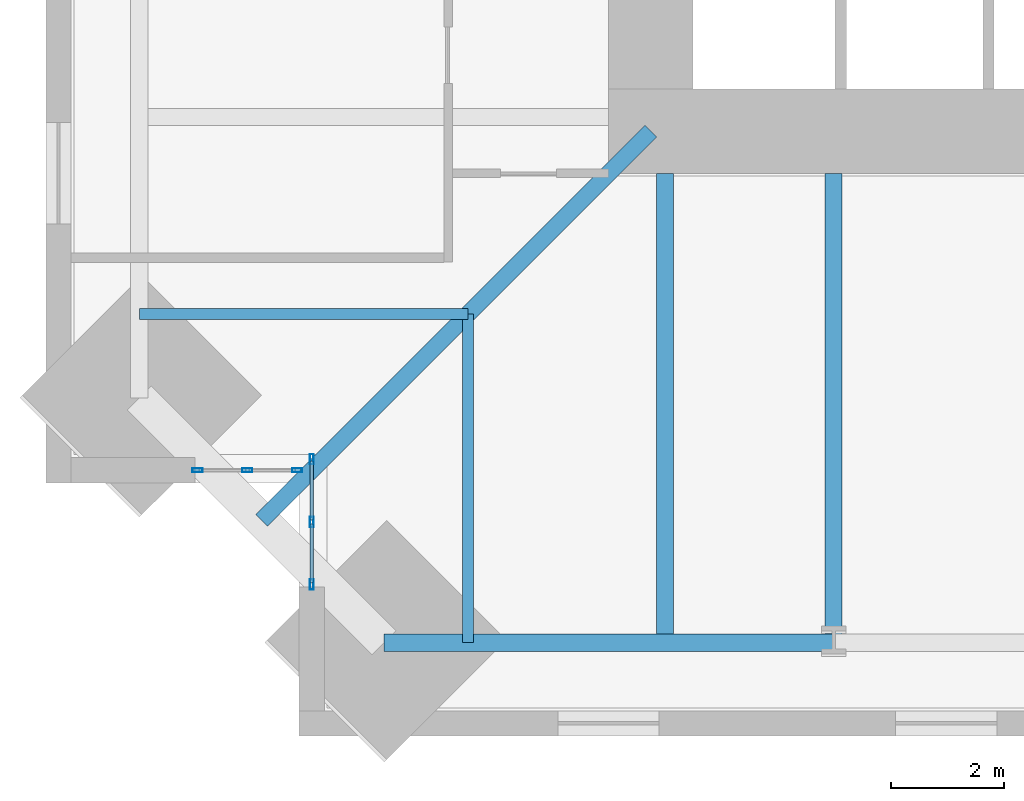
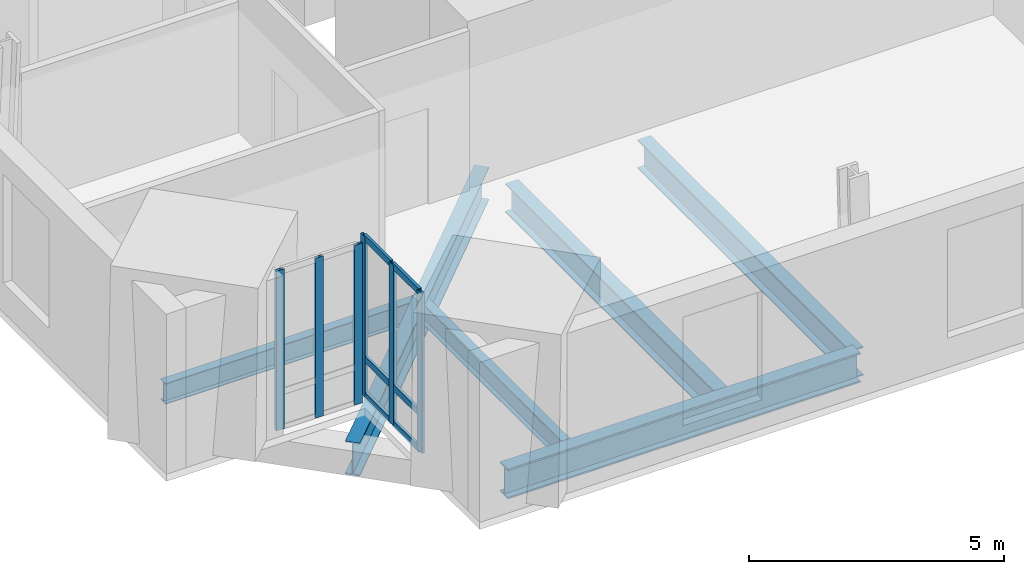
# One storey, part 2 of 16: 12 members, 6 beams, 2 elements without a shape of their own.
"""IFC4 building model written with IfcOpenShell, lengths in metres."""

from ifc_helpers import new_model, si_unit, direction, frame, origin, origin_2d, place, context, subcontext, project, spatial, hollow_rectangle, i_section, extrude, material, material_profile, profile_set, type_object, element, aggregate, save


model = new_model("IFC4")

# Units and contexts
model_context = context("Model", 3, precision=1e-05, world=origin(), true_north=direction((0.0, 1.0)))
body_context = subcontext(model_context, "Body", "Model", "MODEL_VIEW")
ifc_project = project(units=[si_unit("LENGTHUNIT", "METRE"), si_unit("AREAUNIT", "SQUARE_METRE"), si_unit("VOLUMEUNIT", "CUBIC_METRE"), si_unit("PLANEANGLEUNIT", "RADIAN"), si_unit("MASSUNIT", "GRAM", prefix="KILO")], contexts=[model_context])

# Site, building, storey
site_placement = place(None, origin())
site = spatial("IfcSite", under=ifc_project, at=site_placement, CompositionType="ELEMENT")
building_placement = place(site_placement, origin())
building = spatial("IfcBuilding", under=site, at=building_placement, Name="Peilmerk Tower", CompositionType="ELEMENT")
storey_placement = place(building_placement, frame((0.0, 0.0, 261.800048828125)))
storey = spatial("IfcBuildingStorey", under=building, at=storey_placement, Name="L58", CompositionType="ELEMENT", Elevation=261.800048828125)

# Beams
ifc_material_1 = material(Name="Steel S355", Category="steel")
ifc_material_profile_1 = material_profile(ifc_material_1, i_section(OverallWidth=0.300048828125, OverallDepth=0.68994140625, WebThickness=0.014404296875, FlangeThickness=0.027099609375, at=origin_2d()), Name="HEA 700")
ifc_profile_set_1 = profile_set([ifc_material_profile_1], Name="Steel S355")
beam_type_1 = type_object("IfcBeamType", Name="B16 HEA 700 floor beam", PredefinedType="BEAM", material=ifc_profile_set_1)
for number, where, z_axis, x_axis, name in (
    (1, (-11.0, -12.0, -0.51513671875), (0.0, -1.0, 0.0), (1.0, 0.0, 0.0), "Floor beam L58"),
    (2, (-8.0, -12.0, -0.51513671875), (0.0, -1.0, 0.0), (1.0, 0.0, 0.0), "Floor beam L58"),
):
    element("IfcBeam", number, at=place(storey_placement, frame(where, z_axis=z_axis, x_axis=x_axis)), inside=storey, type_object=beam_type_1, Name=name, PredefinedType="BEAM", context=body_context, shape_type="SweptSolid", body=[
        extrude(i_section(OverallWidth=0.300048828125, OverallDepth=0.68994140625, WebThickness=0.014404296875, FlangeThickness=0.027099609375, at=origin_2d()), origin(), (0.0, 0.0, 1.0), 8.34033203125),
    ])
ifc_material_profile_2 = material_profile(ifc_material_1, i_section(OverallWidth=0.300048828125, OverallDepth=0.7900390625, WebThickness=0.014892578125, FlangeThickness=0.028076171875, at=origin_2d()), Name="HEA 800")
ifc_profile_set_2 = profile_set([ifc_material_profile_2], Name="Steel S355")
beam_type_2 = type_object("IfcBeamType", Name="B3 HEA 800 floor beam", PredefinedType="BEAM", material=ifc_profile_set_2)
beam_1_placement = place(storey_placement, frame((-11.25, -11.25, -0.56494140625), z_axis=(-0.707106781187, -0.707106781187, 0.0), x_axis=(0.707106781187, -0.707106781187, 0.0)))
element("IfcBeam", 3, at=beam_1_placement, inside=storey, type_object=beam_type_2, Name="Corner girder L58", PredefinedType="BEAM", context=body_context, shape_type="SweptSolid", body=[
    extrude(i_section(OverallWidth=0.300048828125, OverallDepth=0.7900390625, WebThickness=0.014892578125, FlangeThickness=0.028076171875, at=origin_2d()), origin(), (0.0, 0.0, 1.0), 9.77978515625),
])
ifc_material_profile_3 = material_profile(ifc_material_1, i_section(OverallWidth=0.303955078125, OverallDepth=0.716064453125, WebThickness=0.02099609375, FlangeThickness=0.0400390625, at=origin_2d()), Name="HEM 700")
ifc_profile_set_3 = profile_set([ifc_material_profile_3], Name="Steel S355")
beam_type_3 = type_object("IfcBeamType", Name="B30 HEM 700 edge beam", PredefinedType="SPANDREL", material=ifc_profile_set_3)
beam_2_placement = place(storey_placement, frame((-15.990234375, -20.34033203125, -0.528076171875), z_axis=(1.0, 0.0, 0.0), x_axis=(0.0, 1.0, 0.0)))
element("IfcBeam", 4, at=beam_2_placement, inside=storey, type_object=beam_type_3, Name="Edge beam L58", PredefinedType="SPANDREL", context=body_context, shape_type="SweptSolid", body=[
    extrude(i_section(OverallWidth=0.303955078125, OverallDepth=0.716064453125, WebThickness=0.02099609375, FlangeThickness=0.0400390625, at=origin_2d()), origin(), (0.0, 0.0, 1.0), 7.990234375),
])
ifc_material_profile_4 = material_profile(ifc_material_1, i_section(OverallWidth=0.199951171875, OverallDepth=0.5, WebThickness=0.01025390625, FlangeThickness=0.01611328125, at=origin_2d()), Name="IPE 500")
ifc_profile_set_4 = profile_set([ifc_material_profile_4], Name="Steel S355")
beam_type_4 = type_object("IfcBeamType", Name="B32 IPE 500 floor beam", PredefinedType="BEAM", material=ifc_profile_set_4)
for number, where, z_axis, x_axis, name in (
    (5, (-14.5, -14.5, -0.420166015625), (0.0, -1.0, 0.0), (1.0, 0.0, 0.0), "Floor beam L58"),
    (6, (-14.5, -14.5, -0.420166015625), (-1.0, 0.0, 0.0), (0.0, -1.0, 0.0), "Floor beam L58"),
):
    element("IfcBeam", number, at=place(storey_placement, frame(where, z_axis=z_axis, x_axis=x_axis)), inside=storey, type_object=beam_type_4, Name=name, PredefinedType="BEAM", context=body_context, shape_type="SweptSolid", body=[
        extrude(i_section(OverallWidth=0.199951171875, OverallDepth=0.5, WebThickness=0.01025390625, FlangeThickness=0.01611328125, at=origin_2d()), origin(), (0.0, 0.0, 1.0), 5.84033203125),
    ])

# Curtain wall, members
ifc_material_2 = material(Name="Aluminium stick curtain wall", Category="aluminium")
curtain_wall_type = type_object("IfcCurtainWallType", Name="CW4 stick curtain wall, 2250 module", PredefinedType="NOTDEFINED", material=ifc_material_2)
curtain_wall_1_placement = place(storey_placement, origin())
curtain_wall_1 = element("IfcCurtainWall", 7, at=curtain_wall_1_placement, inside=storey, type_object=curtain_wall_type, Name="Curtain wall CW4 SWA L58", PredefinedType="NOTDEFINED")
ifc_material_3 = material(Name="Aluminium EN AW-6063 T6", Category="aluminium")
ifc_material_profile_5 = material_profile(ifc_material_3, hollow_rectangle(XDim=0.06494140625, YDim=0.179931640625, WallThickness=0.0029296875, at=origin_2d()), Name="AL 180x65x3")
ifc_profile_set_5 = profile_set([ifc_material_profile_5], Name="Aluminium EN AW-6063 T6")
member_type_1 = type_object("IfcMemberType", Name="CW4-M AL 180x65x3 mullion", PredefinedType="MULLION", material=ifc_profile_set_5)
member_1_placement = place(storey_placement, frame((-17.27490234375, -17.08251953125, 0.0), z_axis=(0.0, 0.0, 1.0), x_axis=(1.0, 0.0, 0.0)))
member_1 = element("IfcMember", 8, at=member_1_placement, type_object=member_type_1, Name="CW4 mullion 1", PredefinedType="MULLION", context=body_context, shape_type="SweptSolid", body=[
    extrude(hollow_rectangle(XDim=0.06494140625, YDim=0.179931640625, WallThickness=0.0029296875, at=origin_2d()), origin(), (0.0, 0.0, 1.0), 3.829833984375),
])
member_2_placement = place(storey_placement, frame((-17.27490234375, -18.1943359375, 0.0), z_axis=(0.0, 0.0, 1.0), x_axis=(1.0, 0.0, 0.0)))
member_2 = element("IfcMember", 9, at=member_2_placement, type_object=member_type_1, Name="CW4 mullion 2", PredefinedType="MULLION", context=body_context, shape_type="SweptSolid", body=[
    extrude(hollow_rectangle(XDim=0.06494140625, YDim=0.179931640625, WallThickness=0.0029296875, at=origin_2d()), origin(), (0.0, 0.0, 1.0), 3.829833984375),
])
member_3_placement = place(storey_placement, frame((-17.27490234375, -19.30615234375, 0.0), z_axis=(0.0, 0.0, 1.0), x_axis=(1.0, 0.0, 0.0)))
member_3 = element("IfcMember", 10, at=member_3_placement, type_object=member_type_1, Name="CW4 mullion 3", PredefinedType="MULLION", context=body_context, shape_type="SweptSolid", body=[
    extrude(hollow_rectangle(XDim=0.06494140625, YDim=0.179931640625, WallThickness=0.0029296875, at=origin_2d()), origin(), (0.0, 0.0, 1.0), 3.829833984375),
])

curtain_wall_2_placement = place(storey_placement, origin())
curtain_wall_2 = element("IfcCurtainWall", 11, at=curtain_wall_2_placement, inside=storey, type_object=curtain_wall_type, Name="Curtain wall CW4 SWB L58", PredefinedType="NOTDEFINED")
member_4_placement = place(storey_placement, frame((-17.532470703125, -17.27490234375, 0.0), z_axis=(0.0, 0.0, 1.0), x_axis=(0.0, -1.0, 0.0)))
member_4 = element("IfcMember", 12, at=member_4_placement, type_object=member_type_1, Name="CW4 mullion 1", PredefinedType="MULLION", context=body_context, shape_type="SweptSolid", body=[
    extrude(hollow_rectangle(XDim=0.06494140625, YDim=0.179931640625, WallThickness=0.0029296875, at=origin_2d()), origin(), (0.0, 0.0, 1.0), 3.829833984375),
])
member_5_placement = place(storey_placement, frame((-18.41943359375, -17.27490234375, 0.0), z_axis=(0.0, 0.0, 1.0), x_axis=(0.0, -1.0, 0.0)))
member_5 = element("IfcMember", 13, at=member_5_placement, type_object=member_type_1, Name="CW4 mullion 2", PredefinedType="MULLION", context=body_context, shape_type="SweptSolid", body=[
    extrude(hollow_rectangle(XDim=0.06494140625, YDim=0.179931640625, WallThickness=0.0029296875, at=origin_2d()), origin(), (0.0, 0.0, 1.0), 3.829833984375),
])
member_6_placement = place(storey_placement, frame((-19.30615234375, -17.27490234375, 0.0), z_axis=(0.0, 0.0, 1.0), x_axis=(0.0, -1.0, 0.0)))
member_6 = element("IfcMember", 14, at=member_6_placement, type_object=member_type_1, Name="CW4 mullion 3", PredefinedType="MULLION", context=body_context, shape_type="SweptSolid", body=[
    extrude(hollow_rectangle(XDim=0.06494140625, YDim=0.179931640625, WallThickness=0.0029296875, at=origin_2d()), origin(), (0.0, 0.0, 1.0), 3.829833984375),
])
aggregate(curtain_wall_2, [member_4, member_5, member_6])

# Member
ifc_material_profile_6 = material_profile(ifc_material_3, hollow_rectangle(XDim=0.06494140625, YDim=0.14990234375, WallThickness=0.0029296875, at=origin_2d()), Name="AL 150x65x3")
ifc_profile_set_6 = profile_set([ifc_material_profile_6], Name="Aluminium EN AW-6063 T6")
member_type_2 = type_object("IfcMemberType", Name="CW4-T AL 150x65x3 transom", PredefinedType="USERDEFINED", material=ifc_profile_set_6)
member_7_placement = place(storey_placement, frame((-17.27490234375, -17.114990234375, 0.032470703125), z_axis=(0.0, -1.0, 0.0), x_axis=(1.0, 0.0, 0.0)))
member_7 = element("IfcMember", 15, at=member_7_placement, type_object=member_type_2, Name="CW4 transom 1.1", ObjectType="TRANSOM", PredefinedType="USERDEFINED", context=body_context, shape_type="SweptSolid", body=[
    extrude(hollow_rectangle(XDim=0.06494140625, YDim=0.14990234375, WallThickness=0.0029296875, at=origin_2d()), origin(), (0.0, 0.0, 1.0), 1.046875),
])

member_8_placement = place(storey_placement, frame((-17.27490234375, -17.114990234375, 0.89990234375), z_axis=(0.0, -1.0, 0.0), x_axis=(1.0, 0.0, 0.0)))
member_8 = element("IfcMember", 16, at=member_8_placement, type_object=member_type_2, Name="CW4 transom 1.2", ObjectType="TRANSOM", PredefinedType="USERDEFINED", context=body_context, shape_type="SweptSolid", body=[
    extrude(hollow_rectangle(XDim=0.06494140625, YDim=0.14990234375, WallThickness=0.0029296875, at=origin_2d()), origin(), (0.0, 0.0, 1.0), 1.046875),
])

member_9_placement = place(storey_placement, frame((-17.27490234375, -17.114990234375, 3.79736328125), z_axis=(0.0, -1.0, 0.0), x_axis=(1.0, 0.0, 0.0)))
member_9 = element("IfcMember", 17, at=member_9_placement, type_object=member_type_2, Name="CW4 transom 1.3", ObjectType="TRANSOM", PredefinedType="USERDEFINED", context=body_context, shape_type="SweptSolid", body=[
    extrude(hollow_rectangle(XDim=0.06494140625, YDim=0.14990234375, WallThickness=0.0029296875, at=origin_2d()), origin(), (0.0, 0.0, 1.0), 1.046875),
])

member_10_placement = place(storey_placement, frame((-17.27490234375, -18.226806640625, 0.032470703125), z_axis=(0.0, -1.0, 0.0), x_axis=(1.0, 0.0, 0.0)))
member_10 = element("IfcMember", 18, at=member_10_placement, type_object=member_type_2, Name="CW4 transom 2.1", ObjectType="TRANSOM", PredefinedType="USERDEFINED", context=body_context, shape_type="SweptSolid", body=[
    extrude(hollow_rectangle(XDim=0.06494140625, YDim=0.14990234375, WallThickness=0.0029296875, at=origin_2d()), origin(), (0.0, 0.0, 1.0), 1.046875),
])

member_11_placement = place(storey_placement, frame((-17.27490234375, -18.226806640625, 0.89990234375), z_axis=(0.0, -1.0, 0.0), x_axis=(1.0, 0.0, 0.0)))
member_11 = element("IfcMember", 19, at=member_11_placement, type_object=member_type_2, Name="CW4 transom 2.2", ObjectType="TRANSOM", PredefinedType="USERDEFINED", context=body_context, shape_type="SweptSolid", body=[
    extrude(hollow_rectangle(XDim=0.06494140625, YDim=0.14990234375, WallThickness=0.0029296875, at=origin_2d()), origin(), (0.0, 0.0, 1.0), 1.046875),
])

member_12_placement = place(storey_placement, frame((-17.27490234375, -18.226806640625, 3.79736328125), z_axis=(0.0, -1.0, 0.0), x_axis=(1.0, 0.0, 0.0)))
member_12 = element("IfcMember", 20, at=member_12_placement, type_object=member_type_2, Name="CW4 transom 2.3", ObjectType="TRANSOM", PredefinedType="USERDEFINED", context=body_context, shape_type="SweptSolid", body=[
    extrude(hollow_rectangle(XDim=0.06494140625, YDim=0.14990234375, WallThickness=0.0029296875, at=origin_2d()), origin(), (0.0, 0.0, 1.0), 1.046875),
])

aggregate(curtain_wall_1, [member_1, member_2, member_3, member_7, member_8, member_9, member_10, member_11, member_12])

save(model, "model.ifc")
